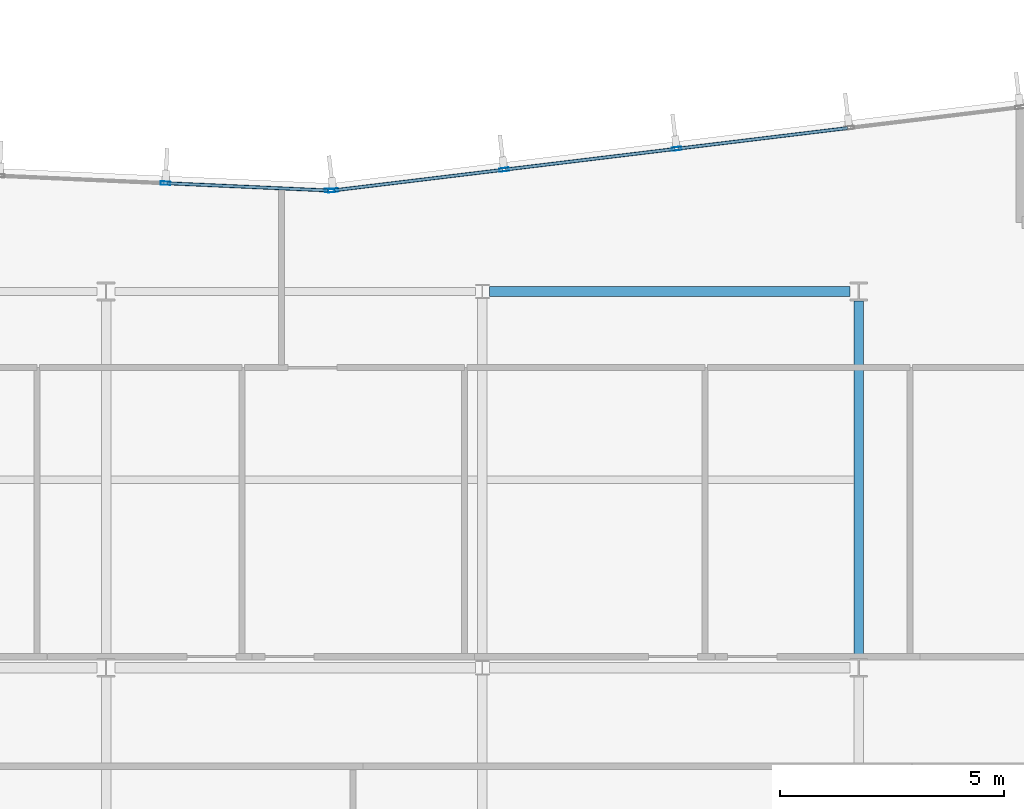
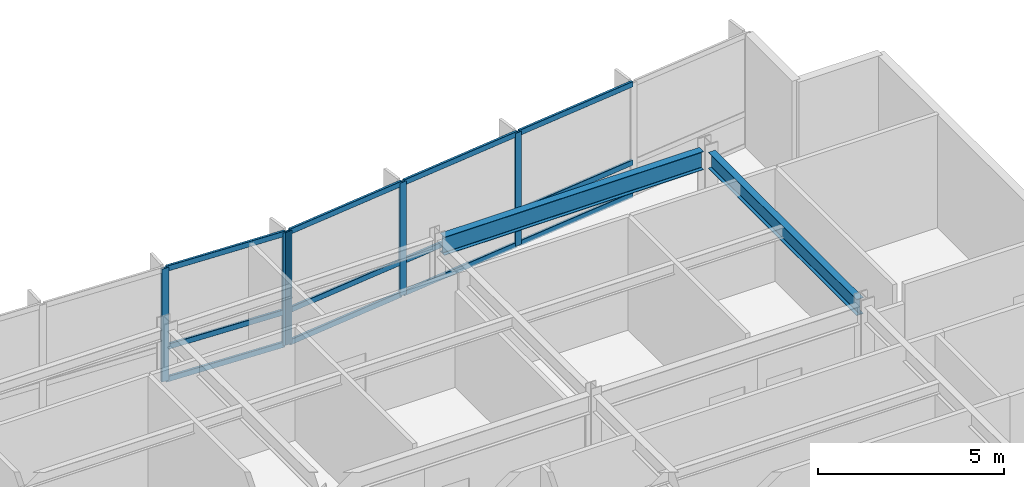
# One storey, part 7 of 18: 17 members, 2 beams, 2 elements without a shape of their own.
"""IFC4 building model written with IfcOpenShell, lengths in metres."""

from ifc_helpers import new_model, si_unit, direction, frame, origin, origin_2d, place, context, subcontext, project, spatial, hollow_rectangle, i_section, extrude, material, layer, layer_set, material_profile, profile_set, type_object, element, aggregate, save


model = new_model("IFC4")

# Units and contexts
model_context = context("Model", 3, precision=1e-05, world=origin(), true_north=direction((0.0, 1.0)))
body_context = subcontext(model_context, "Body", "Model", "MODEL_VIEW")
ifc_project = project(units=[si_unit("LENGTHUNIT", "METRE"), si_unit("AREAUNIT", "SQUARE_METRE"), si_unit("VOLUMEUNIT", "CUBIC_METRE"), si_unit("PLANEANGLEUNIT", "RADIAN"), si_unit("MASSUNIT", "GRAM", prefix="KILO")], contexts=[model_context])

# Site, building, storey
site_placement = place(None, origin())
site = spatial("IfcSite", under=ifc_project, at=site_placement, CompositionType="ELEMENT")
building_placement = place(site_placement, origin())
building = spatial("IfcBuilding", under=site, at=building_placement, Name="Varnakote Quay Hospital", CompositionType="ELEMENT")
storey_placement = place(building_placement, frame((0.0, 0.0, 150.75)))
storey = spatial("IfcBuildingStorey", under=building, at=storey_placement, Name="L37", CompositionType="ELEMENT", Elevation=150.75)

# Beams
ifc_material_1 = material(Name="Structural steel AS/NZS 3679.1 Grade 350 L0 (fy 340 MPa)", Category="steel")
ifc_material_profile_1 = material_profile(ifc_material_1, i_section(OverallWidth=0.208984375, OverallDepth=0.532958984375, WebThickness=0.01025390625, FlangeThickness=0.015625, FilletRadius=0.013916015625, at=origin_2d()), Name="530UB92.4")
ifc_profile_set_1 = profile_set([ifc_material_profile_1], Name="Structural steel AS/NZS 3679.1 Grade 350 L0 (fy 340 MPa)")
beam_type_1 = type_object("IfcBeamType", Name="BM-STL-530UB92-4", PredefinedType="BEAM", material=ifc_profile_set_1)
beam_1_placement = place(storey_placement, frame((50.39990234375, 20.610107421875, 3.443603515625), z_axis=(0.0, 1.0, 0.0), x_axis=(-1.0, 0.0, 0.0)))
element("IfcBeam", 1, at=beam_1_placement, inside=storey, type_object=beam_type_1, Name="L37 Primary Tie Beam", PredefinedType="BEAM", context=body_context, shape_type="SweptSolid", body=[
    extrude(i_section(OverallWidth=0.208984375, OverallDepth=0.532958984375, WebThickness=0.01025390625, FlangeThickness=0.015625, FilletRadius=0.013916015625, at=origin_2d()), origin(), (0.0, 0.0, 1.0), 7.97998046875),
])
ifc_material_2 = material(Name="Structural steel AS/NZS 3679.1 Grade 350 L0 (fy 340 MPa)", Category="steel")
ifc_material_profile_2 = material_profile(ifc_material_2, i_section(OverallWidth=0.22802734375, OverallDepth=0.60205078125, WebThickness=0.010498046875, FlangeThickness=0.014892578125, FilletRadius=0.013916015625, at=origin_2d()), Name="610UB101")
ifc_profile_set_2 = profile_set([ifc_material_profile_2], Name="Structural steel AS/NZS 3679.1 Grade 350 L0 (fy 340 MPa)")
beam_type_2 = type_object("IfcBeamType", Name="BM-STL-610UB101", PredefinedType="BEAM", material=ifc_profile_set_2)
beam_2_placement = place(storey_placement, frame((42.153564453125, 28.800048828125, 3.408935546875), z_axis=(1.0, 0.0, 0.0), x_axis=(0.0, 1.0, 0.0)))
element("IfcBeam", 2, at=beam_2_placement, inside=storey, type_object=beam_type_2, Name="L37 Primary Floor Beam", PredefinedType="BEAM", context=body_context, shape_type="SweptSolid", body=[
    extrude(i_section(OverallWidth=0.22802734375, OverallDepth=0.60205078125, WebThickness=0.010498046875, FlangeThickness=0.014892578125, FilletRadius=0.013916015625, at=origin_2d()), origin(), (0.0, 0.0, 1.0), 8.04638671875),
])

# Curtain wall, members
ifc_material_3 = material(Name="Anodised aluminium 6063-T6 Bronze", Category="aluminium")
ifc_layer = layer(ifc_material_3, 0.205078125)
ifc_layer_set = layer_set([ifc_layer], Name="Anodised aluminium 6063-T6 Bronze")
curtain_wall_type = type_object("IfcCurtainWallType", Name="CW-SYS-3", PredefinedType="NOTDEFINED", material=ifc_layer_set)
curtain_wall_1_placement = place(storey_placement, origin())
curtain_wall_1 = element("IfcCurtainWall", 3, at=curtain_wall_1_placement, inside=storey, type_object=curtain_wall_type, Name="L37 Unitised Bronze Curtain Wall 1", PredefinedType="NOTDEFINED")
ifc_material_4 = material(Name="Anodised aluminium 6063-T6 Bronze", Category="aluminium")
ifc_material_profile_3 = material_profile(ifc_material_4, hollow_rectangle(XDim=0.074951171875, YDim=0.219970703125, WallThickness=0.00439453125, InnerFilletRadius=0.00439453125, OuterFilletRadius=0.009033203125, at=origin_2d()), Name="CW-MULL-220x75")
ifc_profile_set_3 = profile_set([ifc_material_profile_3], Name="Anodised aluminium 6063-T6 Bronze")
member_type_1 = type_object("IfcMemberType", Name="CW-MULL-220x75", PredefinedType="MULLION", material=ifc_profile_set_3)
member_1_placement = place(storey_placement, frame((46.3349609375, 31.985595703125, 0.0), z_axis=(0.0, 0.0, 1.0), x_axis=(0.12032713492, -0.992734295067, 0.0)))
member_1 = element("IfcMember", 4, at=member_1_placement, type_object=member_type_1, Name="-3-L37-1 mullion 3", PredefinedType="MULLION", context=body_context, shape_type="SweptSolid", body=[
    extrude(hollow_rectangle(XDim=0.074951171875, YDim=0.219970703125, WallThickness=0.00439453125, InnerFilletRadius=0.00439453125, OuterFilletRadius=0.009033203125, at=origin_2d()), origin(), (0.0, 0.0, 1.0), 3.7099609375),
])
member_2_placement = place(storey_placement, frame((42.482666015625, 31.5185546875, 0.0), z_axis=(0.0, 0.0, 1.0), x_axis=(0.12032713492, -0.992734295067, 0.0)))
member_2 = element("IfcMember", 5, at=member_2_placement, type_object=member_type_1, Name="-3-L37-1 mullion 4", PredefinedType="MULLION", context=body_context, shape_type="SweptSolid", body=[
    extrude(hollow_rectangle(XDim=0.074951171875, YDim=0.219970703125, WallThickness=0.00439453125, InnerFilletRadius=0.00439453125, OuterFilletRadius=0.009033203125, at=origin_2d()), origin(), (0.0, 0.0, 1.0), 3.7099609375),
])
member_3_placement = place(storey_placement, frame((38.667236328125, 31.05615234375, 0.0), z_axis=(0.0, 0.0, 1.0), x_axis=(0.12032713492, -0.992734295067, 0.0)))
member_3 = element("IfcMember", 6, at=member_3_placement, type_object=member_type_1, Name="-3-L37-1 mullion 5", PredefinedType="MULLION", context=body_context, shape_type="SweptSolid", body=[
    extrude(hollow_rectangle(XDim=0.074951171875, YDim=0.219970703125, WallThickness=0.00439453125, InnerFilletRadius=0.00439453125, OuterFilletRadius=0.009033203125, at=origin_2d()), origin(), (0.0, 0.0, 1.0), 3.7099609375),
])

curtain_wall_2_placement = place(storey_placement, origin())
curtain_wall_2 = element("IfcCurtainWall", 7, at=curtain_wall_2_placement, inside=storey, type_object=curtain_wall_type, Name="L37 Unitised Bronze Curtain Wall 2", PredefinedType="NOTDEFINED")
member_4_placement = place(storey_placement, frame((38.592529296875, 31.05322265625, 0.0), z_axis=(0.0, 0.0, 1.0), x_axis=(-0.044782334659, -0.998996768014, 0.0)))
member_4 = element("IfcMember", 8, at=member_4_placement, type_object=member_type_1, Name="-3-L37-2 mullion 1", PredefinedType="MULLION", context=body_context, shape_type="SweptSolid", body=[
    extrude(hollow_rectangle(XDim=0.074951171875, YDim=0.219970703125, WallThickness=0.00439453125, InnerFilletRadius=0.00439453125, OuterFilletRadius=0.009033203125, at=origin_2d()), origin(), (0.0, 0.0, 1.0), 3.7099609375),
])
member_5_placement = place(storey_placement, frame((34.927001953125, 31.217529296875, 0.0), z_axis=(0.0, 0.0, 1.0), x_axis=(-0.044782334659, -0.998996768014, 0.0)))
member_5 = element("IfcMember", 9, at=member_5_placement, type_object=member_type_1, Name="-3-L37-2 mullion 2", PredefinedType="MULLION", context=body_context, shape_type="SweptSolid", body=[
    extrude(hollow_rectangle(XDim=0.074951171875, YDim=0.219970703125, WallThickness=0.00439453125, InnerFilletRadius=0.00439453125, OuterFilletRadius=0.009033203125, at=origin_2d()), origin(), (0.0, 0.0, 1.0), 3.7099609375),
])

# Member
ifc_material_5 = material(Name="Anodised aluminium 6063-T6 Bronze", Category="aluminium")
ifc_material_profile_4 = material_profile(ifc_material_5, hollow_rectangle(XDim=0.074951171875, YDim=0.179931640625, WallThickness=0.004150390625, InnerFilletRadius=0.004150390625, OuterFilletRadius=0.00830078125, at=origin_2d()), Name="CW-TRAN-180x75")
ifc_profile_set_4 = profile_set([ifc_material_profile_4], Name="Anodised aluminium 6063-T6 Bronze")
member_type_2 = type_object("IfcMemberType", Name="CW-TRAN-180x75", PredefinedType="USERDEFINED", material=ifc_profile_set_4)
member_6_placement = place(storey_placement, frame((50.150390625, 32.447998046875, 0.03759765625), z_axis=(-0.992731924158, -0.120346694005, 0.0), x_axis=(0.120346694005, -0.992731924158, 0.0)))
member_6 = element("IfcMember", 10, at=member_6_placement, type_object=member_type_2, Name="-3-L37-1 transom 2.1", ObjectType="TRANSOM", PredefinedType="USERDEFINED", context=body_context, shape_type="SweptSolid", body=[
    extrude(hollow_rectangle(XDim=0.074951171875, YDim=0.179931640625, WallThickness=0.004150390625, InnerFilletRadius=0.004150390625, OuterFilletRadius=0.00830078125, at=origin_2d()), origin(), (0.0, 0.0, 1.0), 3.8056640625),
])

member_7_placement = place(storey_placement, frame((50.150390625, 32.447998046875, 1.10009765625), z_axis=(-0.992731924158, -0.120346694005, 0.0), x_axis=(0.120346694005, -0.992731924158, 0.0)))
member_7 = element("IfcMember", 11, at=member_7_placement, type_object=member_type_2, Name="-3-L37-1 transom 2.2", ObjectType="TRANSOM", PredefinedType="USERDEFINED", context=body_context, shape_type="SweptSolid", body=[
    extrude(hollow_rectangle(XDim=0.074951171875, YDim=0.179931640625, WallThickness=0.004150390625, InnerFilletRadius=0.004150390625, OuterFilletRadius=0.00830078125, at=origin_2d()), origin(), (0.0, 0.0, 1.0), 3.8056640625),
])

member_8_placement = place(storey_placement, frame((50.150390625, 32.447998046875, 3.672607421875), z_axis=(-0.992731924158, -0.120346694005, 0.0), x_axis=(0.120346694005, -0.992731924158, 0.0)))
member_8 = element("IfcMember", 12, at=member_8_placement, type_object=member_type_2, Name="-3-L37-1 transom 2.3", ObjectType="TRANSOM", PredefinedType="USERDEFINED", context=body_context, shape_type="SweptSolid", body=[
    extrude(hollow_rectangle(XDim=0.074951171875, YDim=0.179931640625, WallThickness=0.004150390625, InnerFilletRadius=0.004150390625, OuterFilletRadius=0.00830078125, at=origin_2d()), origin(), (0.0, 0.0, 1.0), 3.8056640625),
])

member_9_placement = place(storey_placement, frame((46.2978515625, 31.98095703125, 0.03759765625), z_axis=(-0.992731924158, -0.120346694005, 0.0), x_axis=(0.120346694005, -0.992731924158, 0.0)))
member_9 = element("IfcMember", 13, at=member_9_placement, type_object=member_type_2, Name="-3-L37-1 transom 3.1", ObjectType="TRANSOM", PredefinedType="USERDEFINED", context=body_context, shape_type="SweptSolid", body=[
    extrude(hollow_rectangle(XDim=0.074951171875, YDim=0.179931640625, WallThickness=0.004150390625, InnerFilletRadius=0.004150390625, OuterFilletRadius=0.00830078125, at=origin_2d()), origin(), (0.0, 0.0, 1.0), 3.8056640625),
])

member_10_placement = place(storey_placement, frame((46.2978515625, 31.98095703125, 1.10009765625), z_axis=(-0.992731924158, -0.120346694005, 0.0), x_axis=(0.120346694005, -0.992731924158, 0.0)))
member_10 = element("IfcMember", 14, at=member_10_placement, type_object=member_type_2, Name="-3-L37-1 transom 3.2", ObjectType="TRANSOM", PredefinedType="USERDEFINED", context=body_context, shape_type="SweptSolid", body=[
    extrude(hollow_rectangle(XDim=0.074951171875, YDim=0.179931640625, WallThickness=0.004150390625, InnerFilletRadius=0.004150390625, OuterFilletRadius=0.00830078125, at=origin_2d()), origin(), (0.0, 0.0, 1.0), 3.8056640625),
])

member_11_placement = place(storey_placement, frame((46.2978515625, 31.98095703125, 3.672607421875), z_axis=(-0.992731924158, -0.120346694005, 0.0), x_axis=(0.120346694005, -0.992731924158, 0.0)))
member_11 = element("IfcMember", 15, at=member_11_placement, type_object=member_type_2, Name="-3-L37-1 transom 3.3", ObjectType="TRANSOM", PredefinedType="USERDEFINED", context=body_context, shape_type="SweptSolid", body=[
    extrude(hollow_rectangle(XDim=0.074951171875, YDim=0.179931640625, WallThickness=0.004150390625, InnerFilletRadius=0.004150390625, OuterFilletRadius=0.00830078125, at=origin_2d()), origin(), (0.0, 0.0, 1.0), 3.8056640625),
])

member_12_placement = place(storey_placement, frame((42.4453125, 31.513916015625, 0.03759765625), z_axis=(-0.992735423717, -0.120317822859, 0.0), x_axis=(0.120317822859, -0.992735423717, 0.0)))
member_12 = element("IfcMember", 16, at=member_12_placement, type_object=member_type_2, Name="-3-L37-1 transom 4.1", ObjectType="TRANSOM", PredefinedType="USERDEFINED", context=body_context, shape_type="SweptSolid", body=[
    extrude(hollow_rectangle(XDim=0.074951171875, YDim=0.179931640625, WallThickness=0.004150390625, InnerFilletRadius=0.004150390625, OuterFilletRadius=0.00830078125, at=origin_2d()), origin(), (0.0, 0.0, 1.0), 3.76806640625),
])

member_13_placement = place(storey_placement, frame((42.4453125, 31.513916015625, 1.10009765625), z_axis=(-0.992735423717, -0.120317822859, 0.0), x_axis=(0.120317822859, -0.992735423717, 0.0)))
member_13 = element("IfcMember", 17, at=member_13_placement, type_object=member_type_2, Name="-3-L37-1 transom 4.2", ObjectType="TRANSOM", PredefinedType="USERDEFINED", context=body_context, shape_type="SweptSolid", body=[
    extrude(hollow_rectangle(XDim=0.074951171875, YDim=0.179931640625, WallThickness=0.004150390625, InnerFilletRadius=0.004150390625, OuterFilletRadius=0.00830078125, at=origin_2d()), origin(), (0.0, 0.0, 1.0), 3.76806640625),
])

member_14_placement = place(storey_placement, frame((42.4453125, 31.513916015625, 3.672607421875), z_axis=(-0.992735423717, -0.120317822859, 0.0), x_axis=(0.120317822859, -0.992735423717, 0.0)))
member_14 = element("IfcMember", 18, at=member_14_placement, type_object=member_type_2, Name="-3-L37-1 transom 4.3", ObjectType="TRANSOM", PredefinedType="USERDEFINED", context=body_context, shape_type="SweptSolid", body=[
    extrude(hollow_rectangle(XDim=0.074951171875, YDim=0.179931640625, WallThickness=0.004150390625, InnerFilletRadius=0.004150390625, OuterFilletRadius=0.00830078125, at=origin_2d()), origin(), (0.0, 0.0, 1.0), 3.76806640625),
])

aggregate(curtain_wall_1, [member_1, member_2, member_3, member_6, member_7, member_8, member_9, member_10, member_11, member_12, member_13, member_14])

member_15_placement = place(storey_placement, frame((38.55517578125, 31.054931640625, 0.03759765625), z_axis=(-0.998997740237, 0.044760641203, 0.0), x_axis=(-0.044760641203, -0.998997740237, 0.0)))
member_15 = element("IfcMember", 19, at=member_15_placement, type_object=member_type_2, Name="-3-L37-2 transom 1.1", ObjectType="TRANSOM", PredefinedType="USERDEFINED", context=body_context, shape_type="SweptSolid", body=[
    extrude(hollow_rectangle(XDim=0.074951171875, YDim=0.179931640625, WallThickness=0.004150390625, InnerFilletRadius=0.004150390625, OuterFilletRadius=0.00830078125, at=origin_2d()), origin(), (0.0, 0.0, 1.0), 3.594482421875),
])

member_16_placement = place(storey_placement, frame((38.55517578125, 31.054931640625, 1.10009765625), z_axis=(-0.998997740237, 0.044760641203, 0.0), x_axis=(-0.044760641203, -0.998997740237, 0.0)))
member_16 = element("IfcMember", 20, at=member_16_placement, type_object=member_type_2, Name="-3-L37-2 transom 1.2", ObjectType="TRANSOM", PredefinedType="USERDEFINED", context=body_context, shape_type="SweptSolid", body=[
    extrude(hollow_rectangle(XDim=0.074951171875, YDim=0.179931640625, WallThickness=0.004150390625, InnerFilletRadius=0.004150390625, OuterFilletRadius=0.00830078125, at=origin_2d()), origin(), (0.0, 0.0, 1.0), 3.594482421875),
])

member_17_placement = place(storey_placement, frame((38.55517578125, 31.054931640625, 3.672607421875), z_axis=(-0.998997740237, 0.044760641203, 0.0), x_axis=(-0.044760641203, -0.998997740237, 0.0)))
member_17 = element("IfcMember", 21, at=member_17_placement, type_object=member_type_2, Name="-3-L37-2 transom 1.3", ObjectType="TRANSOM", PredefinedType="USERDEFINED", context=body_context, shape_type="SweptSolid", body=[
    extrude(hollow_rectangle(XDim=0.074951171875, YDim=0.179931640625, WallThickness=0.004150390625, InnerFilletRadius=0.004150390625, OuterFilletRadius=0.00830078125, at=origin_2d()), origin(), (0.0, 0.0, 1.0), 3.594482421875),
])

aggregate(curtain_wall_2, [member_4, member_5, member_15, member_16, member_17])

save(model, "model.ifc")
